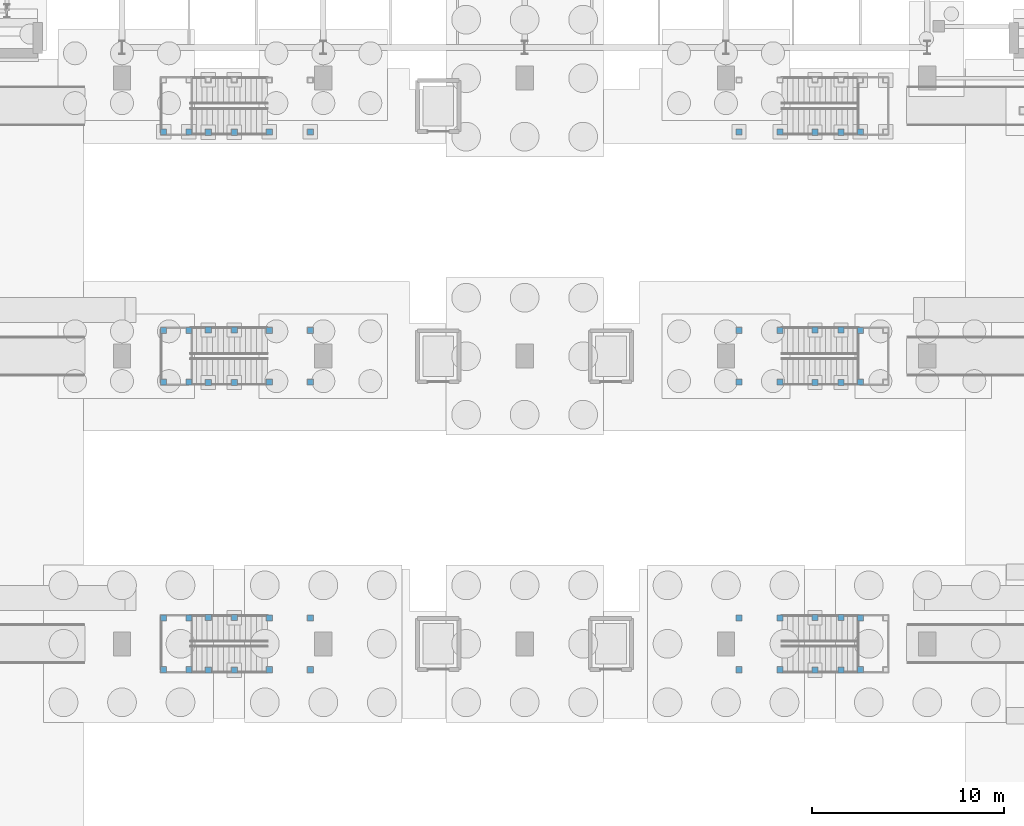
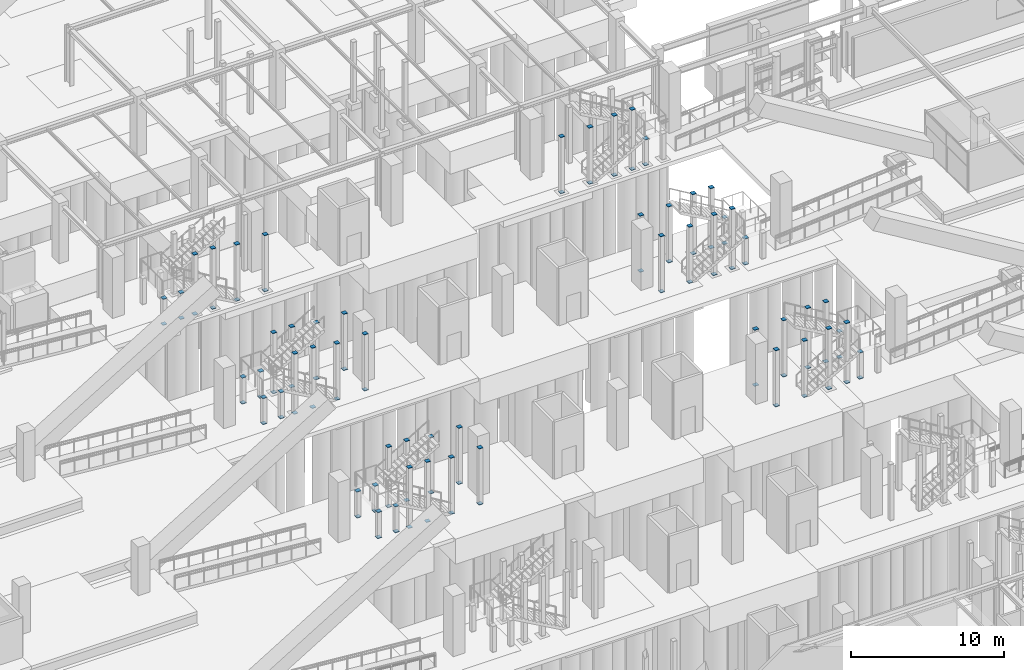
# One storey, part 128 of 160: 110 discrete accessories.
"""IFC4 building model written with IfcOpenShell, lengths in metres."""

from ifc_helpers import new_model, si_unit, direction, frame, origin, origin_2d, place, context, subcontext, project, spatial, rectangle, extrude, material, element, save


model = new_model("IFC4")

# Units and contexts
model_context = context("Model", 3, precision=1e-05, world=origin(), true_north=direction((0.0, 1.0)))
body_context = subcontext(model_context, "Body", "Model", "MODEL_VIEW")
ifc_project = project(units=[si_unit("LENGTHUNIT", "METRE"), si_unit("AREAUNIT", "SQUARE_METRE"), si_unit("VOLUMEUNIT", "CUBIC_METRE"), si_unit("PLANEANGLEUNIT", "RADIAN"), si_unit("MASSUNIT", "GRAM", prefix="KILO")], contexts=[model_context])

# Site, building, storey
site_placement = place(None, origin())
site = spatial("IfcSite", under=ifc_project, at=site_placement, CompositionType="ELEMENT")
building_placement = place(site_placement, origin())
building = spatial("IfcBuilding", under=site, at=building_placement, Name="Marlcrest Central Station", CompositionType="ELEMENT")
storey_placement = place(building_placement, origin())
storey = spatial("IfcBuildingStorey", under=building, at=storey_placement, Name="L00", CompositionType="ELEMENT", Elevation=0.0)

# Discrete accessories
ifc_material = material(Name="Steel S355", Category="steel")
for number, where, z_axis, x_axis, name in (
    (1, (94.679931640625, 64.64990234375, -0.014892578125), (0.0, 0.0, 1.0), (1.0, 0.0, 0.0), "endcap-stcol-tr-0013-946-646-s"),
    (2, (94.679931640625, 64.64990234375, 4.455078125), (0.0, 0.0, 1.0), (1.0, 0.0, 0.0), "endcap-stcol-tr-0013-946-646-e"),
    (3, (94.679931640625, 67.35009765625, -0.014892578125), (0.0, 0.0, 1.0), (1.0, 0.0, 0.0), "endcap-stcol-tr-0013-946-673-s"),
    (4, (94.679931640625, 67.35009765625, 4.455078125), (0.0, 0.0, 1.0), (1.0, 0.0, 0.0), "endcap-stcol-tr-0013-946-673-e"),
    (5, (96.820068359375, 64.64990234375, -0.014892578125), (0.0, 0.0, 1.0), (1.0, 0.0, 0.0), "endcap-stcol-tr-0013-968-646-s"),
    (6, (96.820068359375, 64.64990234375, 4.455078125), (0.0, 0.0, 1.0), (1.0, 0.0, 0.0), "endcap-stcol-tr-0013-968-646-e"),
    (7, (96.820068359375, 67.35009765625, -0.014892578125), (0.0, 0.0, 1.0), (1.0, 0.0, 0.0), "endcap-stcol-tr-0013-968-673-s"),
    (8, (96.820068359375, 67.35009765625, 4.455078125), (0.0, 0.0, 1.0), (1.0, 0.0, 0.0), "endcap-stcol-tr-0013-968-673-e"),
    (9, (89.169921875, 64.64990234375, -0.014892578125), (0.0, 0.0, 1.0), (1.0, 0.0, 0.0), "endcap-stcol-0014-891-646-s"),
    (10, (89.169921875, 64.64990234375, 2.05517578125), (0.0, 0.0, 1.0), (1.0, 0.0, 0.0), "endcap-stcol-0014-891-646-e"),
    (11, (89.169921875, 67.35009765625, -0.014892578125), (0.0, 0.0, 1.0), (1.0, 0.0, 0.0), "endcap-stcol-0014-891-673-s"),
    (12, (89.169921875, 67.35009765625, 2.05517578125), (0.0, 0.0, 1.0), (1.0, 0.0, 0.0), "endcap-stcol-0014-891-673-e"),
    (13, (90.489990234375, 64.64990234375, -0.014892578125), (0.0, 0.0, 1.0), (1.0, 0.0, 0.0), "endcap-stcol-0014-904-646-s"),
    (14, (90.489990234375, 64.64990234375, 2.05517578125), (0.0, 0.0, 1.0), (1.0, 0.0, 0.0), "endcap-stcol-0014-904-646-e"),
    (15, (90.489990234375, 67.35009765625, -0.014892578125), (0.0, 0.0, 1.0), (1.0, 0.0, 0.0), "endcap-stcol-0014-904-673-s"),
    (16, (90.489990234375, 67.35009765625, 2.05517578125), (0.0, 0.0, 1.0), (1.0, 0.0, 0.0), "endcap-stcol-0014-904-673-e"),
    (17, (91.5, 64.6298828125, -0.014892578125), (0.0, 0.0, 1.0), (1.0, 0.0, 0.0), "endcap-stcol-hi0-0015-915-646-s"),
    (18, (91.5, 64.6298828125, 4.775146484375), (0.0, 0.0, 1.0), (1.0, 0.0, 0.0), "endcap-stcol-hi0-0015-915-646-e"),
    (19, (91.5, 67.3701171875, -0.014892578125), (0.0, 0.0, 1.0), (1.0, 0.0, 0.0), "endcap-stcol-hi0-0015-915-673-s"),
    (20, (91.5, 67.3701171875, 4.775146484375), (0.0, 0.0, 1.0), (1.0, 0.0, 0.0), "endcap-stcol-hi0-0015-915-673-e"),
    (21, (92.860107421875, 64.6298828125, -0.014892578125), (0.0, 0.0, 1.0), (1.0, 0.0, 0.0), "endcap-stcol-hi0-0015-928-646-s"),
    (22, (92.860107421875, 64.6298828125, 4.775146484375), (0.0, 0.0, 1.0), (1.0, 0.0, 0.0), "endcap-stcol-hi0-0015-928-646-e"),
    (23, (92.860107421875, 67.3701171875, -0.014892578125), (0.0, 0.0, 1.0), (1.0, 0.0, 0.0), "endcap-stcol-hi0-0015-928-673-s"),
    (24, (92.860107421875, 67.3701171875, 4.775146484375), (0.0, 0.0, 1.0), (1.0, 0.0, 0.0), "endcap-stcol-hi0-0015-928-673-e"),
    (25, (119.179931640625, 64.64990234375, -0.014892578125), (0.0, 0.0, 1.0), (1.0, 0.0, 0.0), "endcap-stcol-tr-0016-1191-646-s"),
    (26, (119.179931640625, 64.64990234375, 4.455078125), (0.0, 0.0, 1.0), (1.0, 0.0, 0.0), "endcap-stcol-tr-0016-1191-646-e"),
    (27, (119.179931640625, 67.35009765625, -0.014892578125), (0.0, 0.0, 1.0), (1.0, 0.0, 0.0), "endcap-stcol-tr-0016-1191-673-s"),
    (28, (119.179931640625, 67.35009765625, 4.455078125), (0.0, 0.0, 1.0), (1.0, 0.0, 0.0), "endcap-stcol-tr-0016-1191-673-e"),
    (29, (121.320068359375, 64.64990234375, -0.014892578125), (0.0, 0.0, 1.0), (1.0, 0.0, 0.0), "endcap-stcol-tr-0016-1213-646-s"),
    (30, (121.320068359375, 64.64990234375, 4.455078125), (0.0, 0.0, 1.0), (1.0, 0.0, 0.0), "endcap-stcol-tr-0016-1213-646-e"),
    (31, (121.320068359375, 67.35009765625, -0.014892578125), (0.0, 0.0, 1.0), (1.0, 0.0, 0.0), "endcap-stcol-tr-0016-1213-673-s"),
    (32, (121.320068359375, 67.35009765625, 4.455078125), (0.0, 0.0, 1.0), (1.0, 0.0, 0.0), "endcap-stcol-tr-0016-1213-673-e"),
    (33, (125.510009765625, 64.64990234375, -0.014892578125), (0.0, 0.0, 1.0), (1.0, 0.0, 0.0), "endcap-stcol-0017-1255-646-s"),
    (34, (125.510009765625, 64.64990234375, 2.05517578125), (0.0, 0.0, 1.0), (1.0, 0.0, 0.0), "endcap-stcol-0017-1255-646-e"),
    (35, (125.510009765625, 67.35009765625, -0.014892578125), (0.0, 0.0, 1.0), (1.0, 0.0, 0.0), "endcap-stcol-0017-1255-673-s"),
    (36, (125.510009765625, 67.35009765625, 2.05517578125), (0.0, 0.0, 1.0), (1.0, 0.0, 0.0), "endcap-stcol-0017-1255-673-e"),
    (37, (123.139892578125, 64.6298828125, -0.014892578125), (0.0, 0.0, 1.0), (1.0, 0.0, 0.0), "endcap-stcol-hi0-0018-1231-646-s"),
    (38, (123.139892578125, 64.6298828125, 4.775146484375), (0.0, 0.0, 1.0), (1.0, 0.0, 0.0), "endcap-stcol-hi0-0018-1231-646-e"),
    (39, (123.139892578125, 67.3701171875, -0.014892578125), (0.0, 0.0, 1.0), (1.0, 0.0, 0.0), "endcap-stcol-hi0-0018-1231-673-s"),
    (40, (123.139892578125, 67.3701171875, 4.775146484375), (0.0, 0.0, 1.0), (1.0, 0.0, 0.0), "endcap-stcol-hi0-0018-1231-673-e"),
    (41, (124.5, 64.6298828125, -0.014892578125), (0.0, 0.0, 1.0), (1.0, 0.0, 0.0), "endcap-stcol-hi0-0018-1245-646-s"),
    (42, (124.5, 64.6298828125, 4.775146484375), (0.0, 0.0, 1.0), (1.0, 0.0, 0.0), "endcap-stcol-hi0-0018-1245-646-e"),
    (43, (124.5, 67.3701171875, -0.014892578125), (0.0, 0.0, 1.0), (1.0, 0.0, 0.0), "endcap-stcol-hi0-0018-1245-673-s"),
    (44, (124.5, 67.3701171875, 4.775146484375), (0.0, 0.0, 1.0), (1.0, 0.0, 0.0), "endcap-stcol-hi0-0018-1245-673-e"),
    (45, (94.679931640625, 79.64990234375, -0.014892578125), (0.0, 0.0, 1.0), (1.0, 0.0, 0.0), "endcap-stcol-tr-0019-946-796-s"),
    (46, (94.679931640625, 79.64990234375, 4.455078125), (0.0, 0.0, 1.0), (1.0, 0.0, 0.0), "endcap-stcol-tr-0019-946-796-e"),
    (47, (94.679931640625, 82.35009765625, -0.014892578125), (0.0, 0.0, 1.0), (1.0, 0.0, 0.0), "endcap-stcol-tr-0019-946-823-s"),
    (48, (94.679931640625, 82.35009765625, 4.455078125), (0.0, 0.0, 1.0), (1.0, 0.0, 0.0), "endcap-stcol-tr-0019-946-823-e"),
    (49, (96.820068359375, 79.64990234375, -0.014892578125), (0.0, 0.0, 1.0), (1.0, 0.0, 0.0), "endcap-stcol-tr-0019-968-796-s"),
    (50, (96.820068359375, 79.64990234375, 4.455078125), (0.0, 0.0, 1.0), (1.0, 0.0, 0.0), "endcap-stcol-tr-0019-968-796-e"),
    (51, (96.820068359375, 82.35009765625, -0.014892578125), (0.0, 0.0, 1.0), (1.0, 0.0, 0.0), "endcap-stcol-tr-0019-968-823-s"),
    (52, (96.820068359375, 82.35009765625, 4.455078125), (0.0, 0.0, 1.0), (1.0, 0.0, 0.0), "endcap-stcol-tr-0019-968-823-e"),
    (53, (89.169921875, 79.64990234375, -0.014892578125), (0.0, 0.0, 1.0), (1.0, 0.0, 0.0), "endcap-stcol-0020-891-796-s"),
    (54, (89.169921875, 79.64990234375, 2.05517578125), (0.0, 0.0, 1.0), (1.0, 0.0, 0.0), "endcap-stcol-0020-891-796-e"),
    (55, (89.169921875, 82.35009765625, -0.014892578125), (0.0, 0.0, 1.0), (1.0, 0.0, 0.0), "endcap-stcol-0020-891-823-s"),
    (56, (89.169921875, 82.35009765625, 2.05517578125), (0.0, 0.0, 1.0), (1.0, 0.0, 0.0), "endcap-stcol-0020-891-823-e"),
    (57, (90.489990234375, 79.64990234375, -0.014892578125), (0.0, 0.0, 1.0), (1.0, 0.0, 0.0), "endcap-stcol-0020-904-796-s"),
    (58, (90.489990234375, 79.64990234375, 2.05517578125), (0.0, 0.0, 1.0), (1.0, 0.0, 0.0), "endcap-stcol-0020-904-796-e"),
    (59, (90.489990234375, 82.35009765625, -0.014892578125), (0.0, 0.0, 1.0), (1.0, 0.0, 0.0), "endcap-stcol-0020-904-823-s"),
    (60, (90.489990234375, 82.35009765625, 2.05517578125), (0.0, 0.0, 1.0), (1.0, 0.0, 0.0), "endcap-stcol-0020-904-823-e"),
    (61, (91.5, 79.6298828125, -0.014892578125), (0.0, 0.0, 1.0), (1.0, 0.0, 0.0), "endcap-stcol-hi0-0021-915-796-s"),
    (62, (91.5, 79.6298828125, 4.775146484375), (0.0, 0.0, 1.0), (1.0, 0.0, 0.0), "endcap-stcol-hi0-0021-915-796-e"),
    (63, (91.5, 82.3701171875, -0.014892578125), (0.0, 0.0, 1.0), (1.0, 0.0, 0.0), "endcap-stcol-hi0-0021-915-823-s"),
    (64, (91.5, 82.3701171875, 4.775146484375), (0.0, 0.0, 1.0), (1.0, 0.0, 0.0), "endcap-stcol-hi0-0021-915-823-e"),
    (65, (92.860107421875, 79.6298828125, -0.014892578125), (0.0, 0.0, 1.0), (1.0, 0.0, 0.0), "endcap-stcol-hi0-0021-928-796-s"),
    (66, (92.860107421875, 79.6298828125, 4.775146484375), (0.0, 0.0, 1.0), (1.0, 0.0, 0.0), "endcap-stcol-hi0-0021-928-796-e"),
    (67, (92.860107421875, 82.3701171875, -0.014892578125), (0.0, 0.0, 1.0), (1.0, 0.0, 0.0), "endcap-stcol-hi0-0021-928-823-s"),
    (68, (92.860107421875, 82.3701171875, 4.775146484375), (0.0, 0.0, 1.0), (1.0, 0.0, 0.0), "endcap-stcol-hi0-0021-928-823-e"),
    (69, (119.179931640625, 79.64990234375, -0.014892578125), (0.0, 0.0, 1.0), (1.0, 0.0, 0.0), "endcap-stcol-tr-0022-1191-796-s"),
    (70, (119.179931640625, 79.64990234375, 4.455078125), (0.0, 0.0, 1.0), (1.0, 0.0, 0.0), "endcap-stcol-tr-0022-1191-796-e"),
    (71, (119.179931640625, 82.35009765625, -0.014892578125), (0.0, 0.0, 1.0), (1.0, 0.0, 0.0), "endcap-stcol-tr-0022-1191-823-s"),
    (72, (119.179931640625, 82.35009765625, 4.455078125), (0.0, 0.0, 1.0), (1.0, 0.0, 0.0), "endcap-stcol-tr-0022-1191-823-e"),
    (73, (121.320068359375, 79.64990234375, -0.014892578125), (0.0, 0.0, 1.0), (1.0, 0.0, 0.0), "endcap-stcol-tr-0022-1213-796-s"),
    (74, (121.320068359375, 79.64990234375, 4.455078125), (0.0, 0.0, 1.0), (1.0, 0.0, 0.0), "endcap-stcol-tr-0022-1213-796-e"),
    (75, (121.320068359375, 82.35009765625, -0.014892578125), (0.0, 0.0, 1.0), (1.0, 0.0, 0.0), "endcap-stcol-tr-0022-1213-823-s"),
    (76, (121.320068359375, 82.35009765625, 4.455078125), (0.0, 0.0, 1.0), (1.0, 0.0, 0.0), "endcap-stcol-tr-0022-1213-823-e"),
    (77, (125.510009765625, 79.64990234375, -0.014892578125), (0.0, 0.0, 1.0), (1.0, 0.0, 0.0), "endcap-stcol-0023-1255-796-s"),
    (78, (125.510009765625, 79.64990234375, 2.05517578125), (0.0, 0.0, 1.0), (1.0, 0.0, 0.0), "endcap-stcol-0023-1255-796-e"),
    (79, (125.510009765625, 82.35009765625, -0.014892578125), (0.0, 0.0, 1.0), (1.0, 0.0, 0.0), "endcap-stcol-0023-1255-823-s"),
    (80, (125.510009765625, 82.35009765625, 2.05517578125), (0.0, 0.0, 1.0), (1.0, 0.0, 0.0), "endcap-stcol-0023-1255-823-e"),
    (81, (123.139892578125, 79.6298828125, -0.014892578125), (0.0, 0.0, 1.0), (1.0, 0.0, 0.0), "endcap-stcol-hi0-0024-1231-796-s"),
    (82, (123.139892578125, 79.6298828125, 4.775146484375), (0.0, 0.0, 1.0), (1.0, 0.0, 0.0), "endcap-stcol-hi0-0024-1231-796-e"),
    (83, (123.139892578125, 82.3701171875, -0.014892578125), (0.0, 0.0, 1.0), (1.0, 0.0, 0.0), "endcap-stcol-hi0-0024-1231-823-s"),
    (84, (123.139892578125, 82.3701171875, 4.775146484375), (0.0, 0.0, 1.0), (1.0, 0.0, 0.0), "endcap-stcol-hi0-0024-1231-823-e"),
    (85, (124.5, 79.6298828125, -0.014892578125), (0.0, 0.0, 1.0), (1.0, 0.0, 0.0), "endcap-stcol-hi0-0024-1245-796-s"),
    (86, (124.5, 79.6298828125, 4.775146484375), (0.0, 0.0, 1.0), (1.0, 0.0, 0.0), "endcap-stcol-hi0-0024-1245-796-e"),
    (87, (124.5, 82.3701171875, -0.014892578125), (0.0, 0.0, 1.0), (1.0, 0.0, 0.0), "endcap-stcol-hi0-0024-1245-823-s"),
    (88, (124.5, 82.3701171875, 4.775146484375), (0.0, 0.0, 1.0), (1.0, 0.0, 0.0), "endcap-stcol-hi0-0024-1245-823-e"),
    (89, (94.679931640625, 92.699951171875, -0.014892578125), (0.0, 0.0, 1.0), (1.0, 0.0, 0.0), "endcap-stcol-tr-0025-946-927-s"),
    (90, (94.679931640625, 92.699951171875, 4.455078125), (0.0, 0.0, 1.0), (1.0, 0.0, 0.0), "endcap-stcol-tr-0025-946-927-e"),
    (91, (96.820068359375, 92.699951171875, -0.014892578125), (0.0, 0.0, 1.0), (1.0, 0.0, 0.0), "endcap-stcol-tr-0025-968-927-s"),
    (92, (96.820068359375, 92.699951171875, 4.455078125), (0.0, 0.0, 1.0), (1.0, 0.0, 0.0), "endcap-stcol-tr-0025-968-927-e"),
    (93, (89.169921875, 92.699951171875, -0.014892578125), (0.0, 0.0, 1.0), (1.0, 0.0, 0.0), "endcap-stcol-0026-891-927-s"),
    (94, (89.169921875, 92.699951171875, 2.05517578125), (0.0, 0.0, 1.0), (1.0, 0.0, 0.0), "endcap-stcol-0026-891-927-e"),
    (95, (90.489990234375, 92.699951171875, -0.014892578125), (0.0, 0.0, 1.0), (1.0, 0.0, 0.0), "endcap-stcol-0026-904-927-s"),
    (96, (90.489990234375, 92.699951171875, 2.05517578125), (0.0, 0.0, 1.0), (1.0, 0.0, 0.0), "endcap-stcol-0026-904-927-e"),
    (97, (91.5, 92.679931640625, -0.014892578125), (0.0, 0.0, 1.0), (1.0, 0.0, 0.0), "endcap-stcol-hi0-0027-915-926-s"),
    (98, (91.5, 92.679931640625, 4.775146484375), (0.0, 0.0, 1.0), (1.0, 0.0, 0.0), "endcap-stcol-hi0-0027-915-926-e"),
    (99, (92.860107421875, 92.679931640625, -0.014892578125), (0.0, 0.0, 1.0), (1.0, 0.0, 0.0), "endcap-stcol-hi0-0027-928-926-s"),
    (100, (92.860107421875, 92.679931640625, 4.775146484375), (0.0, 0.0, 1.0), (1.0, 0.0, 0.0), "endcap-stcol-hi0-0027-928-926-e"),
    (101, (119.179931640625, 92.699951171875, -0.014892578125), (0.0, 0.0, 1.0), (1.0, 0.0, 0.0), "endcap-stcol-tr-0028-1191-927-s"),
    (102, (119.179931640625, 92.699951171875, 4.455078125), (0.0, 0.0, 1.0), (1.0, 0.0, 0.0), "endcap-stcol-tr-0028-1191-927-e"),
    (103, (121.320068359375, 92.699951171875, -0.014892578125), (0.0, 0.0, 1.0), (1.0, 0.0, 0.0), "endcap-stcol-tr-0028-1213-927-s"),
    (104, (121.320068359375, 92.699951171875, 4.455078125), (0.0, 0.0, 1.0), (1.0, 0.0, 0.0), "endcap-stcol-tr-0028-1213-927-e"),
    (105, (125.510009765625, 92.699951171875, -0.014892578125), (0.0, 0.0, 1.0), (1.0, 0.0, 0.0), "endcap-stcol-0029-1255-927-s"),
    (106, (125.510009765625, 92.699951171875, 2.05517578125), (0.0, 0.0, 1.0), (1.0, 0.0, 0.0), "endcap-stcol-0029-1255-927-e"),
    (107, (123.139892578125, 92.679931640625, -0.014892578125), (0.0, 0.0, 1.0), (1.0, 0.0, 0.0), "endcap-stcol-hi0-0030-1231-926-s"),
    (108, (123.139892578125, 92.679931640625, 4.775146484375), (0.0, 0.0, 1.0), (1.0, 0.0, 0.0), "endcap-stcol-hi0-0030-1231-926-e"),
    (109, (124.5, 92.679931640625, -0.014892578125), (0.0, 0.0, 1.0), (1.0, 0.0, 0.0), "endcap-stcol-hi0-0030-1245-926-s"),
    (110, (124.5, 92.679931640625, 4.775146484375), (0.0, 0.0, 1.0), (1.0, 0.0, 0.0), "endcap-stcol-hi0-0030-1245-926-e"),
):
    element("IfcDiscreteAccessory", number, at=place(storey_placement, frame(where, z_axis=z_axis, x_axis=x_axis)), inside=storey, material=ifc_material, Name=name, ObjectType="END_CAP_PLATE", PredefinedType="BRACKET", context=body_context, shape_type="SweptSolid", body=[
        extrude(rectangle(XDim=0.31591796875, YDim=0.31591796875, at=origin_2d()), origin(), (0.0, 0.0, 1.0), 0.0400390625),
    ])

save(model, "model.ifc")
